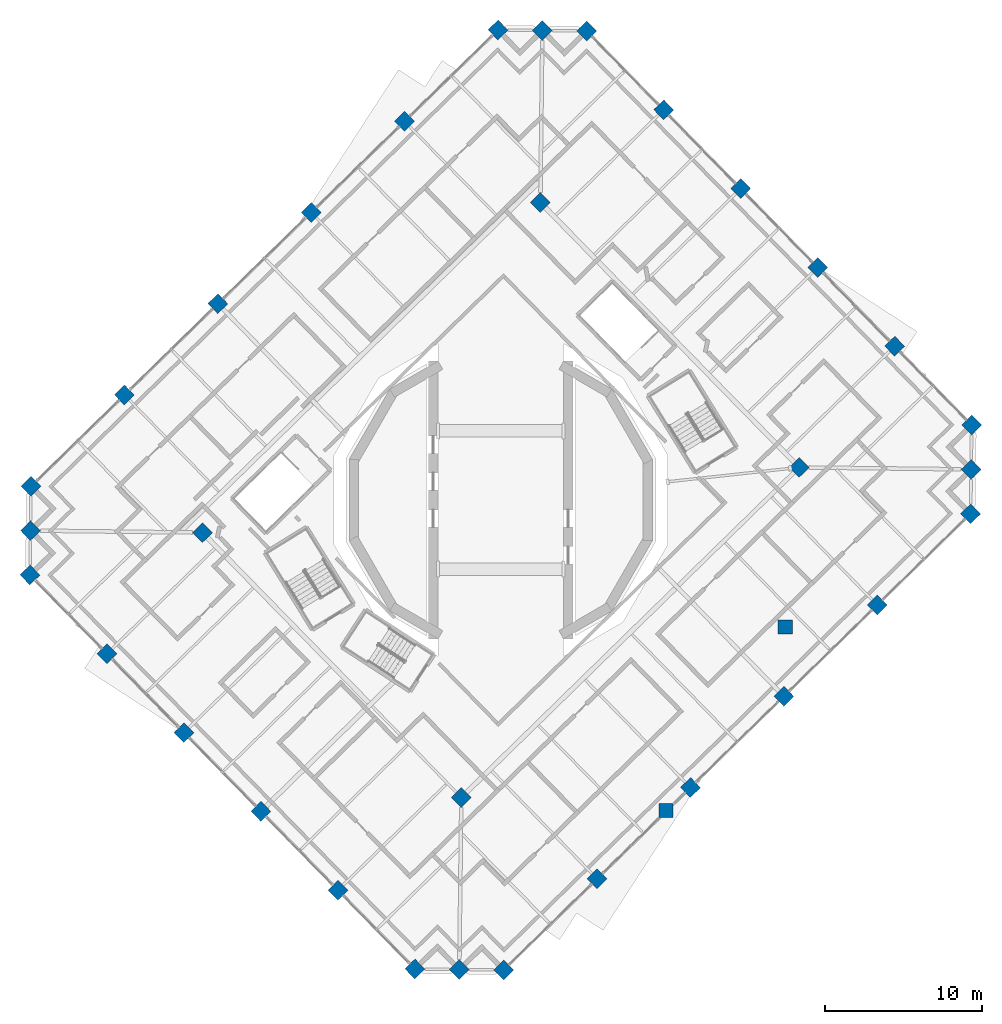
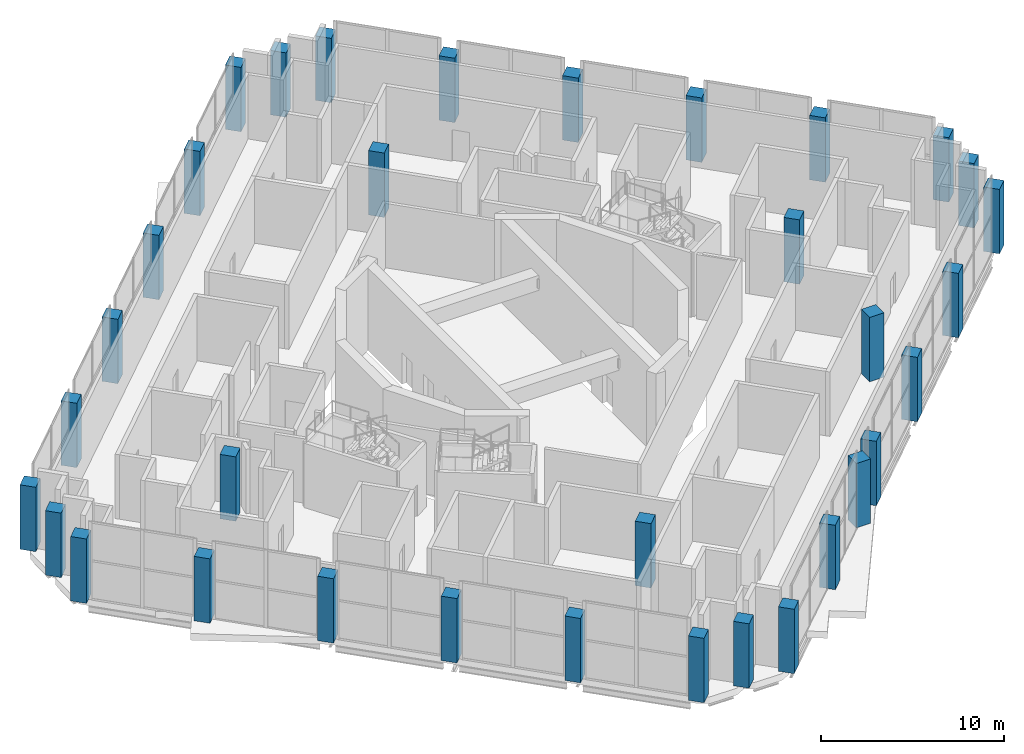
# One storey, part 1 of 20: 34 columns.
"""IFC4 building model written with IfcOpenShell, lengths in metres."""

from ifc_helpers import new_model, si_unit, direction, frame, origin, origin_2d, place, context, subcontext, project, spatial, rectangle, extrude, material, material_profile, profile_set, type_object, element, save


model = new_model("IFC4")

# Units and contexts
model_context = context("Model", 3, precision=1e-05, world=origin(), true_north=direction((0.0, 1.0)))
body_context = subcontext(model_context, "Body", "Model", "MODEL_VIEW")
ifc_project = project(units=[si_unit("LENGTHUNIT", "METRE"), si_unit("AREAUNIT", "SQUARE_METRE"), si_unit("VOLUMEUNIT", "CUBIC_METRE"), si_unit("PLANEANGLEUNIT", "RADIAN"), si_unit("MASSUNIT", "GRAM", prefix="KILO")], contexts=[model_context])

# Site, building, storey
site_placement = place(None, origin())
site = spatial("IfcSite", under=ifc_project, at=site_placement, CompositionType="ELEMENT")
building_placement = place(site_placement, origin())
building = spatial("IfcBuilding", under=site, at=building_placement, Name="Cantera Rosa Tower", CompositionType="ELEMENT")
storey_placement = place(building_placement, frame((0.0, 0.0, 245.0)))
storey = spatial("IfcBuildingStorey", under=building, at=storey_placement, Name="L54", CompositionType="ELEMENT", Elevation=245.0)

# Columns
ifc_material_1 = material(Name="Concrete C60/75", Category="concrete")
ifc_material_profile_1 = material_profile(ifc_material_1, rectangle(XDim=0.89990234375, YDim=0.89990234375, at=origin_2d()), Name="RC COLUMN RC900X900 C60/75")
ifc_profile_set_1 = profile_set([ifc_material_profile_1], Name="Concrete C60/75")
column_type_1 = type_object("IfcColumnType", Name="RC COLUMN RC900X900 C60/75", PredefinedType="COLUMN", material=ifc_profile_set_1)
for number, where, z_axis, x_axis, name in (
    (1, (30.003662109375, 4.77783203125, 0.0), (0.0, 0.0, 1.0), (0.71528629107, 0.698831540364, 0.0), "C-Z4-01 L54"),
    (2, (25.097900390625, 9.799072265625, 0.0), (0.0, 0.0, 1.0), (0.71528629107, 0.698831540364, 0.0), "C-Z4-02 L54"),
    (3, (20.19189453125, 14.8203125, 0.0), (0.0, 0.0, 1.0), (0.71528629107, 0.698831540364, 0.0), "C-Z4-03 L54"),
    (4, (15.2861328125, 19.841796875, 0.0), (0.0, 0.0, 1.0), (0.71528629107, 0.698831540364, 0.0), "C-Z4-04 L54"),
    (5, (10.38037109375, 24.863037109375, 0.0), (0.0, 0.0, 1.0), (0.71528629107, 0.698831540364, 0.0), "C-Z4-05 L54"),
    (6, (5.474609375, 29.88427734375, 0.0), (0.0, 0.0, 1.0), (0.71528629107, 0.698831540364, 0.0), "C-Z4-06 L54"),
    (7, (2.646484375, 29.917236328125, 0.0), (0.0, 0.0, 1.0), (0.71528629107, 0.698831540364, 0.0), "C-Z4-07 L54"),
    (8, (-0.181884765625, 29.9501953125, 0.0), (0.0, 0.0, 1.0), (0.71528629107, 0.698831540364, 0.0), "C-Z4-08 L54"),
    (9, (-6.133056640625, 24.1357421875, 0.0), (0.0, 0.0, 1.0), (0.71528629107, 0.698831540364, 0.0), "C-Z4-09 L54"),
    (10, (-12.084228515625, 18.321533203125, 0.0), (0.0, 0.0, 1.0), (0.71528629107, 0.698831540364, 0.0), "C-Z4-10 L54"),
    (11, (-18.035400390625, 12.50732421875, 0.0), (0.0, 0.0, 1.0), (0.71528629107, 0.698831540364, 0.0), "C-Z4-11 L54"),
    (12, (-23.986572265625, 6.693115234375, 0.0), (0.0, 0.0, 1.0), (0.71528629107, 0.698831540364, 0.0), "C-Z4-12 L54"),
    (13, (-29.937744140625, 0.878662109375, 0.0), (0.0, 0.0, 1.0), (0.71528629107, 0.698831540364, 0.0), "C-Z4-13 L54"),
    (14, (-29.970703125, -1.949462890625, 0.0), (0.0, 0.0, 1.0), (0.71528629107, 0.698831540364, 0.0), "C-Z4-14 L54"),
    (15, (-30.003662109375, -4.77783203125, 0.0), (0.0, 0.0, 1.0), (0.71528629107, 0.698831540364, 0.0), "C-Z4-15 L54"),
    (16, (-25.097900390625, -9.799072265625, 0.0), (0.0, 0.0, 1.0), (0.71528629107, 0.698831540364, 0.0), "C-Z4-16 L54"),
    (17, (-20.19189453125, -14.8203125, 0.0), (0.0, 0.0, 1.0), (0.71528629107, 0.698831540364, 0.0), "C-Z4-17 L54"),
    (18, (-15.2861328125, -19.841796875, 0.0), (0.0, 0.0, 1.0), (0.71528629107, 0.698831540364, 0.0), "C-Z4-18 L54"),
    (19, (-10.38037109375, -24.863037109375, 0.0), (0.0, 0.0, 1.0), (0.71528629107, 0.698831540364, 0.0), "C-Z4-19 L54"),
    (20, (-5.474609375, -29.88427734375, 0.0), (0.0, 0.0, 1.0), (0.71528629107, 0.698831540364, 0.0), "C-Z4-20 L54"),
    (21, (-2.646484375, -29.917236328125, 0.0), (0.0, 0.0, 1.0), (0.71528629107, 0.698831540364, 0.0), "C-Z4-21 L54"),
    (22, (0.181884765625, -29.9501953125, 0.0), (0.0, 0.0, 1.0), (0.71528629107, 0.698831540364, 0.0), "C-Z4-22 L54"),
    (23, (6.133056640625, -24.1357421875, 0.0), (0.0, 0.0, 1.0), (0.71528629107, 0.698831540364, 0.0), "C-Z4-23 L54"),
    (24, (12.084228515625, -18.321533203125, 0.0), (0.0, 0.0, 1.0), (0.71528629107, 0.698831540364, 0.0), "C-Z4-24 L54"),
    (25, (18.035400390625, -12.50732421875, 0.0), (0.0, 0.0, 1.0), (0.71528629107, 0.698831540364, 0.0), "C-Z4-25 L54"),
    (26, (23.986572265625, -6.693115234375, 0.0), (0.0, 0.0, 1.0), (0.71528629107, 0.698831540364, 0.0), "C-Z4-26 L54"),
    (27, (29.937744140625, -0.878662109375, 0.0), (0.0, 0.0, 1.0), (0.71528629107, 0.698831540364, 0.0), "C-Z4-27 L54"),
    (28, (29.970703125, 1.949462890625, 0.0), (0.0, 0.0, 1.0), (0.71528629107, 0.698831540364, 0.0), "C-Z4-28 L54"),
    (29, (10.517578125, -19.791259765625, 0.0), (0.0, 0.0, 1.0), (1.0, 0.0, 0.0), "CP-L55-1 L54"),
    (30, (18.120849609375, -8.08349609375, 0.0), (0.0, 0.0, 1.0), (1.0, 0.0, 0.0), "CP-L55-2 L54"),
):
    element("IfcColumn", number, at=place(storey_placement, frame(where, z_axis=z_axis, x_axis=x_axis)), inside=storey, type_object=column_type_1, Name=name, PredefinedType="COLUMN", context=body_context, shape_type="SweptSolid", body=[
        extrude(rectangle(XDim=0.89990234375, YDim=0.89990234375, at=origin_2d()), origin(), (0.0, 0.0, 1.0), 4.300048828125),
    ])
ifc_material_2 = material(Name="Concrete C60/75", Category="concrete")
ifc_material_profile_2 = material_profile(ifc_material_2, rectangle(XDim=0.89990234375, YDim=0.89990234375, at=origin_2d()), Name="RC RING COLUMN RC900X900 C60/75")
ifc_profile_set_2 = profile_set([ifc_material_profile_2], Name="Concrete C60/75")
column_type_2 = type_object("IfcColumnType", Name="RC RING COLUMN RC900X900 C60/75", PredefinedType="COLUMN", material=ifc_profile_set_2)
for number, where, z_axis, x_axis, name in (
    (31, (2.518798828125, 18.957763671875, 0.0), (0.0, 0.0, 1.0), (0.71528629107, 0.698831540364, 0.0), "CI-Z4-1 L54"),
    (32, (-19.01123046875, -2.0771484375, 0.0), (0.0, 0.0, 1.0), (0.71528629107, 0.698831540364, 0.0), "CI-Z4-2 L54"),
    (33, (-2.518798828125, -18.957763671875, 0.0), (0.0, 0.0, 1.0), (0.71528629107, 0.698831540364, 0.0), "CI-Z4-3 L54"),
    (34, (19.01123046875, 2.0771484375, 0.0), (0.0, 0.0, 1.0), (0.71528629107, 0.698831540364, 0.0), "CI-Z4-4 L54"),
):
    element("IfcColumn", number, at=place(storey_placement, frame(where, z_axis=z_axis, x_axis=x_axis)), inside=storey, type_object=column_type_2, Name=name, PredefinedType="COLUMN", context=body_context, shape_type="SweptSolid", body=[
        extrude(rectangle(XDim=0.89990234375, YDim=0.89990234375, at=origin_2d()), origin(), (0.0, 0.0, 1.0), 4.300048828125),
    ])

save(model, "model.ifc")
